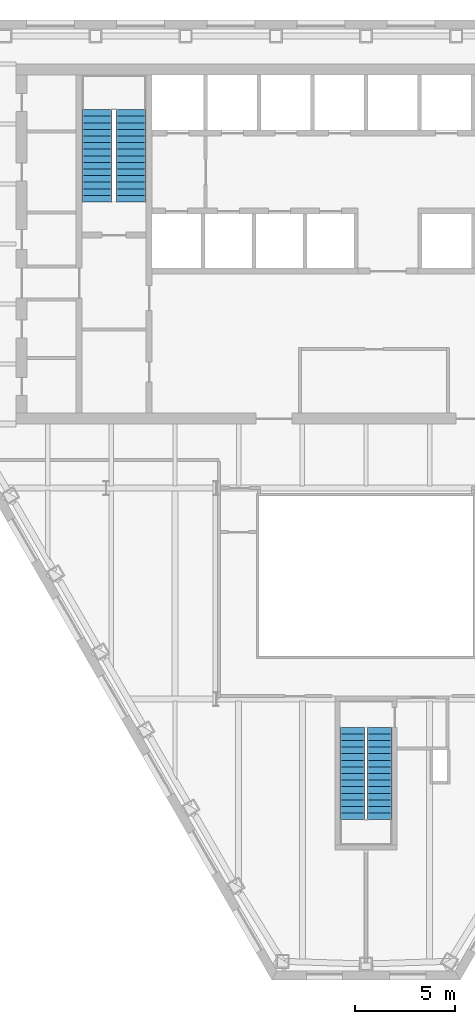
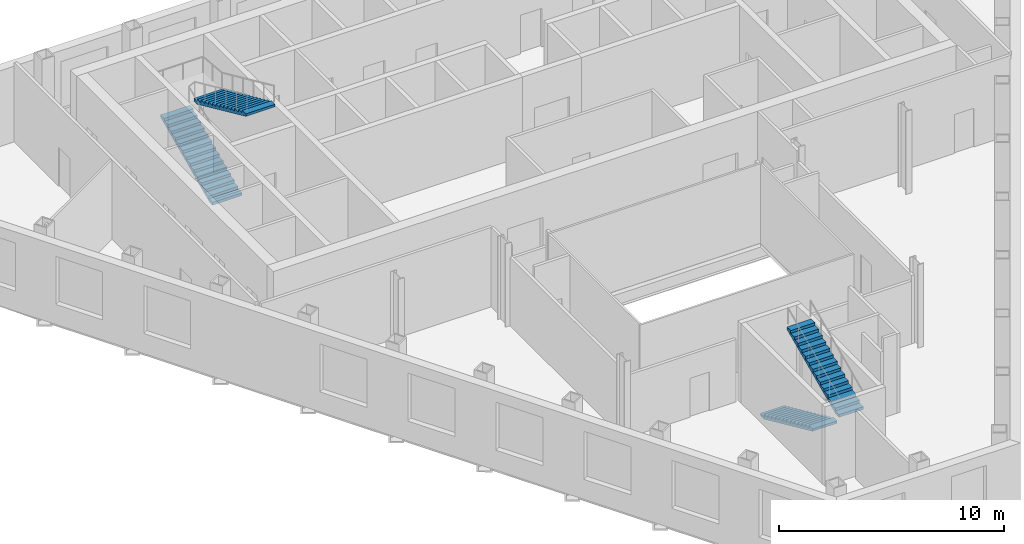
# One storey, part 9 of 11: 4 stair flights, 2 elements without a shape of their own.
"""IFC4 building model written with IfcOpenShell, lengths in metres."""

from ifc_helpers import new_model, si_unit, direction, frame, origin, place, context, subcontext, project, spatial, polygons, material, type_object, element, aggregate, save


model = new_model("IFC4")

# Units and contexts
model_context = context("Model", 3, precision=1e-05, world=origin(), true_north=direction((0.0, 1.0)))
body_context = subcontext(model_context, "Body", "Model", "MODEL_VIEW")
ifc_project = project(units=[si_unit("LENGTHUNIT", "METRE"), si_unit("AREAUNIT", "SQUARE_METRE"), si_unit("VOLUMEUNIT", "CUBIC_METRE"), si_unit("PLANEANGLEUNIT", "RADIAN"), si_unit("MASSUNIT", "GRAM", prefix="KILO")], contexts=[model_context])

# Site, building, storey
site_placement = place(None, origin())
site = spatial("IfcSite", under=ifc_project, at=site_placement, CompositionType="ELEMENT")
building_placement = place(site_placement, origin())
building = spatial("IfcBuilding", under=site, at=building_placement, Name="Njiva Tower", CompositionType="ELEMENT")
storey_placement = place(building_placement, frame((0.0, 0.0, 124.8)))
storey = spatial("IfcBuildingStorey", under=building, at=storey_placement, Name="L26", CompositionType="ELEMENT", Elevation=124.8)

# Stair, stair flights
ifc_material = material(Name="Concrete C40/50", Category="concrete")
stair_type_1 = type_object("IfcStairType", Name="ST1 Exit stair 1250", PredefinedType="HALF_TURN_STAIR", material=ifc_material)
stair_1_placement = place(storey_placement, origin())
stair_1 = element("IfcStair", 1, at=stair_1_placement, inside=storey, type_object=stair_type_1, Name="Stair C", PredefinedType="HALF_TURN_STAIR")
stair_flight_type_1 = type_object("IfcStairFlightType", Name="FL1 Stair flight 1250", PredefinedType="STRAIGHT", material=ifc_material)
stair_flight_1_placement = place(storey_placement, frame((-0.675, -15.16, 0.0), z_axis=(0.0, 0.0, 1.0), x_axis=(0.0, -1.0, 0.0)))
stair_flight_1 = element("IfcStairFlight", 2, at=stair_flight_1_placement, type_object=stair_flight_type_1, Name="ST-C flight 1", NumberOfRisers=15, NumberOfTreads=14, PredefinedType="STRAIGHT", RiserHeight=0.15, TreadLength=0.33, context=body_context, shape_type="Tessellation", body=[
    polygons([(0.0, 0.625, 0.0), (0.0, 0.3125, 0.0), (0.0, 0.0, 0.0), (0.0, -0.3125, 0.0), (0.0, -0.625, 0.0), (0.0, 0.625, 0.15), (0.0, 0.3125, 0.15), (0.0, 0.0, 0.15), (0.0, -0.3125, 0.15), (0.0, -0.625, 0.15), (0.33, 0.625, 0.15), (0.33, 0.3125, 0.15), (0.33, 0.0, 0.15), (0.33, -0.3125, 0.15), (0.33, -0.625, 0.15), (0.33, 0.625, 0.3), (0.33, 0.3125, 0.3), (0.33, 0.0, 0.3), (0.33, -0.3125, 0.3), (0.33, -0.625, 0.3), (0.66, 0.625, 0.3), (0.66, 0.3125, 0.3), (0.66, 0.0, 0.3), (0.66, -0.3125, 0.3), (0.66, -0.625, 0.3), (0.66, 0.625, 0.45), (0.66, 0.3125, 0.45), (0.66, 0.0, 0.45), (0.66, -0.3125, 0.45), (0.66, -0.625, 0.45), (0.99, 0.625, 0.45), (0.99, 0.3125, 0.45), (0.99, 0.0, 0.45), (0.99, -0.3125, 0.45), (0.99, -0.625, 0.45), (0.99, 0.625, 0.6), (0.99, 0.3125, 0.6), (0.99, 0.0, 0.6), (0.99, -0.3125, 0.6), (0.99, -0.625, 0.6), (1.32, 0.625, 0.6), (1.32, 0.3125, 0.6), (1.32, 0.0, 0.6), (1.32, -0.3125, 0.6), (1.32, -0.625, 0.6), (1.32, 0.625, 0.75), (1.32, 0.3125, 0.75), (1.32, 0.0, 0.75), (1.32, -0.3125, 0.75), (1.32, -0.625, 0.75), (1.65, 0.625, 0.75), (1.65, 0.3125, 0.75), (1.65, 0.0, 0.75), (1.65, -0.3125, 0.75), (1.65, -0.625, 0.75), (1.65, 0.625, 0.9), (1.65, 0.3125, 0.9), (1.65, 0.0, 0.9), (1.65, -0.3125, 0.9), (1.65, -0.625, 0.9), (1.98, 0.625, 0.9), (1.98, 0.3125, 0.9), (1.98, 0.0, 0.9), (1.98, -0.3125, 0.9), (1.98, -0.625, 0.9), (1.98, 0.625, 1.05), (1.98, 0.3125, 1.05), (1.98, 0.0, 1.05), (1.98, -0.3125, 1.05), (1.98, -0.625, 1.05), (2.31, 0.625, 1.05), (2.31, 0.3125, 1.05), (2.31, 0.0, 1.05), (2.31, -0.3125, 1.05), (2.31, -0.625, 1.05), (2.31, 0.625, 1.2), (2.31, 0.3125, 1.2), (2.31, 0.0, 1.2), (2.31, -0.3125, 1.2), (2.31, -0.625, 1.2), (2.64, 0.625, 1.2), (2.64, 0.3125, 1.2), (2.64, 0.0, 1.2), (2.64, -0.3125, 1.2), (2.64, -0.625, 1.2), (2.64, 0.625, 1.35), (2.64, 0.3125, 1.35), (2.64, 0.0, 1.35), (2.64, -0.3125, 1.35), (2.64, -0.625, 1.35), (2.97, 0.625, 1.35), (2.97, 0.3125, 1.35), (2.97, 0.0, 1.35), (2.97, -0.3125, 1.35), (2.97, -0.625, 1.35), (2.97, 0.625, 1.5), (2.97, 0.3125, 1.5), (2.97, 0.0, 1.5), (2.97, -0.3125, 1.5), (2.97, -0.625, 1.5), (3.3, 0.625, 1.5), (3.3, 0.3125, 1.5), (3.3, 0.0, 1.5), (3.3, -0.3125, 1.5), (3.3, -0.625, 1.5), (3.3, 0.625, 1.65), (3.3, 0.3125, 1.65), (3.3, 0.0, 1.65), (3.3, -0.3125, 1.65), (3.3, -0.625, 1.65), (3.63, 0.625, 1.65), (3.63, 0.3125, 1.65), (3.63, 0.0, 1.65), (3.63, -0.3125, 1.65), (3.63, -0.625, 1.65), (3.63, 0.625, 1.8), (3.63, 0.3125, 1.8), (3.63, 0.0, 1.8), (3.63, -0.3125, 1.8), (3.63, -0.625, 1.8), (3.96, 0.625, 1.8), (3.96, 0.3125, 1.8), (3.96, 0.0, 1.8), (3.96, -0.3125, 1.8), (3.96, -0.625, 1.8), (3.96, 0.625, 1.95), (3.96, 0.3125, 1.95), (3.96, 0.0, 1.95), (3.96, -0.3125, 1.95), (3.96, -0.625, 1.95), (4.29, 0.625, 1.95), (4.29, 0.3125, 1.95), (4.29, 0.0, 1.95), (4.29, -0.3125, 1.95), (4.29, -0.625, 1.95), (4.29, 0.625, 2.1), (4.29, 0.3125, 2.1), (4.29, 0.0, 2.1), (4.29, -0.3125, 2.1), (4.29, -0.625, 2.1), (4.62, 0.625, 2.1), (4.62, 0.3125, 2.1), (4.62, 0.0, 2.1), (4.62, -0.3125, 2.1), (4.62, -0.625, 2.1), (4.62, 0.625, 1.9682), (4.62, 0.3125, 1.9682), (4.62, 0.0, 1.9682), (4.62, -0.3125, 1.9682), (4.62, -0.625, 1.9682), (0.29, 0.625, 0.0), (0.29, 0.3125, 0.0), (0.29, 0.0, 0.0), (0.29, -0.3125, 0.0), (0.29, -0.625, 0.0)], [[[1, 6, 11, 16, 21, 26, 31, 36, 41, 46, 51, 56, 61, 66, 71, 76, 81, 86, 91, 96, 101, 106, 111, 116, 121, 126, 131, 136, 141, 146, 151]], [[155, 150, 145, 140, 135, 130, 125, 120, 115, 110, 105, 100, 95, 90, 85, 80, 75, 70, 65, 60, 55, 50, 45, 40, 35, 30, 25, 20, 15, 10, 5]], [[6, 1, 2, 7]], [[7, 2, 3, 8]], [[8, 3, 4, 9]], [[9, 4, 5, 10]], [[11, 6, 7, 12]], [[12, 7, 8, 13]], [[13, 8, 9, 14]], [[14, 9, 10, 15]], [[16, 11, 12, 17]], [[17, 12, 13, 18]], [[18, 13, 14, 19]], [[19, 14, 15, 20]], [[21, 16, 17, 22]], [[22, 17, 18, 23]], [[23, 18, 19, 24]], [[24, 19, 20, 25]], [[26, 21, 22, 27]], [[27, 22, 23, 28]], [[28, 23, 24, 29]], [[29, 24, 25, 30]], [[31, 26, 27, 32]], [[32, 27, 28, 33]], [[33, 28, 29, 34]], [[34, 29, 30, 35]], [[36, 31, 32, 37]], [[37, 32, 33, 38]], [[38, 33, 34, 39]], [[39, 34, 35, 40]], [[41, 36, 37, 42]], [[42, 37, 38, 43]], [[43, 38, 39, 44]], [[44, 39, 40, 45]], [[46, 41, 42, 47]], [[47, 42, 43, 48]], [[48, 43, 44, 49]], [[49, 44, 45, 50]], [[51, 46, 47, 52]], [[52, 47, 48, 53]], [[53, 48, 49, 54]], [[54, 49, 50, 55]], [[56, 51, 52, 57]], [[57, 52, 53, 58]], [[58, 53, 54, 59]], [[59, 54, 55, 60]], [[61, 56, 57, 62]], [[62, 57, 58, 63]], [[63, 58, 59, 64]], [[64, 59, 60, 65]], [[66, 61, 62, 67]], [[67, 62, 63, 68]], [[68, 63, 64, 69]], [[69, 64, 65, 70]], [[71, 66, 67, 72]], [[72, 67, 68, 73]], [[73, 68, 69, 74]], [[74, 69, 70, 75]], [[76, 71, 72, 77]], [[77, 72, 73, 78]], [[78, 73, 74, 79]], [[79, 74, 75, 80]], [[81, 76, 77, 82]], [[82, 77, 78, 83]], [[83, 78, 79, 84]], [[84, 79, 80, 85]], [[86, 81, 82, 87]], [[87, 82, 83, 88]], [[88, 83, 84, 89]], [[89, 84, 85, 90]], [[91, 86, 87, 92]], [[92, 87, 88, 93]], [[93, 88, 89, 94]], [[94, 89, 90, 95]], [[96, 91, 92, 97]], [[97, 92, 93, 98]], [[98, 93, 94, 99]], [[99, 94, 95, 100]], [[101, 96, 97, 102]], [[102, 97, 98, 103]], [[103, 98, 99, 104]], [[104, 99, 100, 105]], [[106, 101, 102, 107]], [[107, 102, 103, 108]], [[108, 103, 104, 109]], [[109, 104, 105, 110]], [[111, 106, 107, 112]], [[112, 107, 108, 113]], [[113, 108, 109, 114]], [[114, 109, 110, 115]], [[116, 111, 112, 117]], [[117, 112, 113, 118]], [[118, 113, 114, 119]], [[119, 114, 115, 120]], [[121, 116, 117, 122]], [[122, 117, 118, 123]], [[123, 118, 119, 124]], [[124, 119, 120, 125]], [[126, 121, 122, 127]], [[127, 122, 123, 128]], [[128, 123, 124, 129]], [[129, 124, 125, 130]], [[131, 126, 127, 132]], [[132, 127, 128, 133]], [[133, 128, 129, 134]], [[134, 129, 130, 135]], [[136, 131, 132, 137]], [[137, 132, 133, 138]], [[138, 133, 134, 139]], [[139, 134, 135, 140]], [[141, 136, 137, 142]], [[142, 137, 138, 143]], [[143, 138, 139, 144]], [[144, 139, 140, 145]], [[146, 141, 142, 147]], [[147, 142, 143, 148]], [[148, 143, 144, 149]], [[149, 144, 145, 150]], [[151, 146, 147, 152]], [[152, 147, 148, 153]], [[153, 148, 149, 154]], [[154, 149, 150, 155]], [[1, 151, 152, 2]], [[2, 152, 153, 3]], [[3, 153, 154, 4]], [[4, 154, 155, 5]]], closed=True),
])
stair_flight_2_placement = place(storey_placement, frame((0.675, -19.78, 2.25), z_axis=(0.0, 0.0, 1.0), x_axis=(0.0, 1.0, 0.0)))
stair_flight_2 = element("IfcStairFlight", 3, at=stair_flight_2_placement, type_object=stair_flight_type_1, Name="ST-C flight 2", NumberOfRisers=15, NumberOfTreads=14, PredefinedType="STRAIGHT", RiserHeight=0.15, TreadLength=0.33, context=body_context, shape_type="Tessellation", body=[
    polygons([(0.0, 0.625, 0.0), (0.0, 0.3125, 0.0), (0.0, 0.0, 0.0), (0.0, -0.3125, 0.0), (0.0, -0.625, 0.0), (0.0, 0.625, 0.15), (0.0, 0.3125, 0.15), (0.0, 0.0, 0.15), (0.0, -0.3125, 0.15), (0.0, -0.625, 0.15), (0.33, 0.625, 0.15), (0.33, 0.3125, 0.15), (0.33, 0.0, 0.15), (0.33, -0.3125, 0.15), (0.33, -0.625, 0.15), (0.33, 0.625, 0.3), (0.33, 0.3125, 0.3), (0.33, 0.0, 0.3), (0.33, -0.3125, 0.3), (0.33, -0.625, 0.3), (0.66, 0.625, 0.3), (0.66, 0.3125, 0.3), (0.66, 0.0, 0.3), (0.66, -0.3125, 0.3), (0.66, -0.625, 0.3), (0.66, 0.625, 0.45), (0.66, 0.3125, 0.45), (0.66, 0.0, 0.45), (0.66, -0.3125, 0.45), (0.66, -0.625, 0.45), (0.99, 0.625, 0.45), (0.99, 0.3125, 0.45), (0.99, 0.0, 0.45), (0.99, -0.3125, 0.45), (0.99, -0.625, 0.45), (0.99, 0.625, 0.6), (0.99, 0.3125, 0.6), (0.99, 0.0, 0.6), (0.99, -0.3125, 0.6), (0.99, -0.625, 0.6), (1.32, 0.625, 0.6), (1.32, 0.3125, 0.6), (1.32, 0.0, 0.6), (1.32, -0.3125, 0.6), (1.32, -0.625, 0.6), (1.32, 0.625, 0.75), (1.32, 0.3125, 0.75), (1.32, 0.0, 0.75), (1.32, -0.3125, 0.75), (1.32, -0.625, 0.75), (1.65, 0.625, 0.75), (1.65, 0.3125, 0.75), (1.65, 0.0, 0.75), (1.65, -0.3125, 0.75), (1.65, -0.625, 0.75), (1.65, 0.625, 0.9), (1.65, 0.3125, 0.9), (1.65, 0.0, 0.9), (1.65, -0.3125, 0.9), (1.65, -0.625, 0.9), (1.98, 0.625, 0.9), (1.98, 0.3125, 0.9), (1.98, 0.0, 0.9), (1.98, -0.3125, 0.9), (1.98, -0.625, 0.9), (1.98, 0.625, 1.05), (1.98, 0.3125, 1.05), (1.98, 0.0, 1.05), (1.98, -0.3125, 1.05), (1.98, -0.625, 1.05), (2.31, 0.625, 1.05), (2.31, 0.3125, 1.05), (2.31, 0.0, 1.05), (2.31, -0.3125, 1.05), (2.31, -0.625, 1.05), (2.31, 0.625, 1.2), (2.31, 0.3125, 1.2), (2.31, 0.0, 1.2), (2.31, -0.3125, 1.2), (2.31, -0.625, 1.2), (2.64, 0.625, 1.2), (2.64, 0.3125, 1.2), (2.64, 0.0, 1.2), (2.64, -0.3125, 1.2), (2.64, -0.625, 1.2), (2.64, 0.625, 1.35), (2.64, 0.3125, 1.35), (2.64, 0.0, 1.35), (2.64, -0.3125, 1.35), (2.64, -0.625, 1.35), (2.97, 0.625, 1.35), (2.97, 0.3125, 1.35), (2.97, 0.0, 1.35), (2.97, -0.3125, 1.35), (2.97, -0.625, 1.35), (2.97, 0.625, 1.5), (2.97, 0.3125, 1.5), (2.97, 0.0, 1.5), (2.97, -0.3125, 1.5), (2.97, -0.625, 1.5), (3.3, 0.625, 1.5), (3.3, 0.3125, 1.5), (3.3, 0.0, 1.5), (3.3, -0.3125, 1.5), (3.3, -0.625, 1.5), (3.3, 0.625, 1.65), (3.3, 0.3125, 1.65), (3.3, 0.0, 1.65), (3.3, -0.3125, 1.65), (3.3, -0.625, 1.65), (3.63, 0.625, 1.65), (3.63, 0.3125, 1.65), (3.63, 0.0, 1.65), (3.63, -0.3125, 1.65), (3.63, -0.625, 1.65), (3.63, 0.625, 1.8), (3.63, 0.3125, 1.8), (3.63, 0.0, 1.8), (3.63, -0.3125, 1.8), (3.63, -0.625, 1.8), (3.96, 0.625, 1.8), (3.96, 0.3125, 1.8), (3.96, 0.0, 1.8), (3.96, -0.3125, 1.8), (3.96, -0.625, 1.8), (3.96, 0.625, 1.95), (3.96, 0.3125, 1.95), (3.96, 0.0, 1.95), (3.96, -0.3125, 1.95), (3.96, -0.625, 1.95), (4.29, 0.625, 1.95), (4.29, 0.3125, 1.95), (4.29, 0.0, 1.95), (4.29, -0.3125, 1.95), (4.29, -0.625, 1.95), (4.29, 0.625, 2.1), (4.29, 0.3125, 2.1), (4.29, 0.0, 2.1), (4.29, -0.3125, 2.1), (4.29, -0.625, 2.1), (4.62, 0.625, 2.1), (4.62, 0.3125, 2.1), (4.62, 0.0, 2.1), (4.62, -0.3125, 2.1), (4.62, -0.625, 2.1), (4.62, 0.625, 1.9682), (4.62, 0.3125, 1.9682), (4.62, 0.0, 1.9682), (4.62, -0.3125, 1.9682), (4.62, -0.625, 1.9682), (0.29, 0.625, 0.0), (0.29, 0.3125, 0.0), (0.29, 0.0, 0.0), (0.29, -0.3125, 0.0), (0.29, -0.625, 0.0)], [[[1, 6, 11, 16, 21, 26, 31, 36, 41, 46, 51, 56, 61, 66, 71, 76, 81, 86, 91, 96, 101, 106, 111, 116, 121, 126, 131, 136, 141, 146, 151]], [[155, 150, 145, 140, 135, 130, 125, 120, 115, 110, 105, 100, 95, 90, 85, 80, 75, 70, 65, 60, 55, 50, 45, 40, 35, 30, 25, 20, 15, 10, 5]], [[6, 1, 2, 7]], [[7, 2, 3, 8]], [[8, 3, 4, 9]], [[9, 4, 5, 10]], [[11, 6, 7, 12]], [[12, 7, 8, 13]], [[13, 8, 9, 14]], [[14, 9, 10, 15]], [[16, 11, 12, 17]], [[17, 12, 13, 18]], [[18, 13, 14, 19]], [[19, 14, 15, 20]], [[21, 16, 17, 22]], [[22, 17, 18, 23]], [[23, 18, 19, 24]], [[24, 19, 20, 25]], [[26, 21, 22, 27]], [[27, 22, 23, 28]], [[28, 23, 24, 29]], [[29, 24, 25, 30]], [[31, 26, 27, 32]], [[32, 27, 28, 33]], [[33, 28, 29, 34]], [[34, 29, 30, 35]], [[36, 31, 32, 37]], [[37, 32, 33, 38]], [[38, 33, 34, 39]], [[39, 34, 35, 40]], [[41, 36, 37, 42]], [[42, 37, 38, 43]], [[43, 38, 39, 44]], [[44, 39, 40, 45]], [[46, 41, 42, 47]], [[47, 42, 43, 48]], [[48, 43, 44, 49]], [[49, 44, 45, 50]], [[51, 46, 47, 52]], [[52, 47, 48, 53]], [[53, 48, 49, 54]], [[54, 49, 50, 55]], [[56, 51, 52, 57]], [[57, 52, 53, 58]], [[58, 53, 54, 59]], [[59, 54, 55, 60]], [[61, 56, 57, 62]], [[62, 57, 58, 63]], [[63, 58, 59, 64]], [[64, 59, 60, 65]], [[66, 61, 62, 67]], [[67, 62, 63, 68]], [[68, 63, 64, 69]], [[69, 64, 65, 70]], [[71, 66, 67, 72]], [[72, 67, 68, 73]], [[73, 68, 69, 74]], [[74, 69, 70, 75]], [[76, 71, 72, 77]], [[77, 72, 73, 78]], [[78, 73, 74, 79]], [[79, 74, 75, 80]], [[81, 76, 77, 82]], [[82, 77, 78, 83]], [[83, 78, 79, 84]], [[84, 79, 80, 85]], [[86, 81, 82, 87]], [[87, 82, 83, 88]], [[88, 83, 84, 89]], [[89, 84, 85, 90]], [[91, 86, 87, 92]], [[92, 87, 88, 93]], [[93, 88, 89, 94]], [[94, 89, 90, 95]], [[96, 91, 92, 97]], [[97, 92, 93, 98]], [[98, 93, 94, 99]], [[99, 94, 95, 100]], [[101, 96, 97, 102]], [[102, 97, 98, 103]], [[103, 98, 99, 104]], [[104, 99, 100, 105]], [[106, 101, 102, 107]], [[107, 102, 103, 108]], [[108, 103, 104, 109]], [[109, 104, 105, 110]], [[111, 106, 107, 112]], [[112, 107, 108, 113]], [[113, 108, 109, 114]], [[114, 109, 110, 115]], [[116, 111, 112, 117]], [[117, 112, 113, 118]], [[118, 113, 114, 119]], [[119, 114, 115, 120]], [[121, 116, 117, 122]], [[122, 117, 118, 123]], [[123, 118, 119, 124]], [[124, 119, 120, 125]], [[126, 121, 122, 127]], [[127, 122, 123, 128]], [[128, 123, 124, 129]], [[129, 124, 125, 130]], [[131, 126, 127, 132]], [[132, 127, 128, 133]], [[133, 128, 129, 134]], [[134, 129, 130, 135]], [[136, 131, 132, 137]], [[137, 132, 133, 138]], [[138, 133, 134, 139]], [[139, 134, 135, 140]], [[141, 136, 137, 142]], [[142, 137, 138, 143]], [[143, 138, 139, 144]], [[144, 139, 140, 145]], [[146, 141, 142, 147]], [[147, 142, 143, 148]], [[148, 143, 144, 149]], [[149, 144, 145, 150]], [[151, 146, 147, 152]], [[152, 147, 148, 153]], [[153, 148, 149, 154]], [[154, 149, 150, 155]], [[1, 151, 152, 2]], [[2, 152, 153, 3]], [[3, 153, 154, 4]], [[4, 154, 155, 5]]], closed=True),
])
aggregate(stair_1, [stair_flight_1, stair_flight_2])

stair_type_2 = type_object("IfcStairType", Name="ST4 Exit stair 1500", PredefinedType="HALF_TURN_STAIR", material=ifc_material)
stair_2_placement = place(storey_placement, origin())
stair_2 = element("IfcStair", 4, at=stair_2_placement, inside=storey, type_object=stair_type_2, Name="Stair A", PredefinedType="HALF_TURN_STAIR")
stair_flight_type_2 = type_object("IfcStairFlightType", Name="FL4 Stair flight 1500", PredefinedType="STRAIGHT", material=ifc_material)
stair_flight_3_placement = place(storey_placement, frame((-13.45, 11.1, 0.0), z_axis=(0.0, 0.0, 1.0), x_axis=(0.0, 1.0, 0.0)))
stair_flight_3 = element("IfcStairFlight", 5, at=stair_flight_3_placement, type_object=stair_flight_type_2, Name="ST-A flight 1", NumberOfRisers=15, NumberOfTreads=14, PredefinedType="STRAIGHT", RiserHeight=0.15, TreadLength=0.33, context=body_context, shape_type="Tessellation", body=[
    polygons([(0.0, 0.75, 0.0), (0.0, 0.375, 0.0), (0.0, 0.0, 0.0), (0.0, -0.375, 0.0), (0.0, -0.75, 0.0), (0.0, 0.75, 0.15), (0.0, 0.375, 0.15), (0.0, 0.0, 0.15), (0.0, -0.375, 0.15), (0.0, -0.75, 0.15), (0.33, 0.75, 0.15), (0.33, 0.375, 0.15), (0.33, 0.0, 0.15), (0.33, -0.375, 0.15), (0.33, -0.75, 0.15), (0.33, 0.75, 0.3), (0.33, 0.375, 0.3), (0.33, 0.0, 0.3), (0.33, -0.375, 0.3), (0.33, -0.75, 0.3), (0.66, 0.75, 0.3), (0.66, 0.375, 0.3), (0.66, 0.0, 0.3), (0.66, -0.375, 0.3), (0.66, -0.75, 0.3), (0.66, 0.75, 0.45), (0.66, 0.375, 0.45), (0.66, 0.0, 0.45), (0.66, -0.375, 0.45), (0.66, -0.75, 0.45), (0.99, 0.75, 0.45), (0.99, 0.375, 0.45), (0.99, 0.0, 0.45), (0.99, -0.375, 0.45), (0.99, -0.75, 0.45), (0.99, 0.75, 0.6), (0.99, 0.375, 0.6), (0.99, 0.0, 0.6), (0.99, -0.375, 0.6), (0.99, -0.75, 0.6), (1.32, 0.75, 0.6), (1.32, 0.375, 0.6), (1.32, 0.0, 0.6), (1.32, -0.375, 0.6), (1.32, -0.75, 0.6), (1.32, 0.75, 0.75), (1.32, 0.375, 0.75), (1.32, 0.0, 0.75), (1.32, -0.375, 0.75), (1.32, -0.75, 0.75), (1.65, 0.75, 0.75), (1.65, 0.375, 0.75), (1.65, 0.0, 0.75), (1.65, -0.375, 0.75), (1.65, -0.75, 0.75), (1.65, 0.75, 0.9), (1.65, 0.375, 0.9), (1.65, 0.0, 0.9), (1.65, -0.375, 0.9), (1.65, -0.75, 0.9), (1.98, 0.75, 0.9), (1.98, 0.375, 0.9), (1.98, 0.0, 0.9), (1.98, -0.375, 0.9), (1.98, -0.75, 0.9), (1.98, 0.75, 1.05), (1.98, 0.375, 1.05), (1.98, 0.0, 1.05), (1.98, -0.375, 1.05), (1.98, -0.75, 1.05), (2.31, 0.75, 1.05), (2.31, 0.375, 1.05), (2.31, 0.0, 1.05), (2.31, -0.375, 1.05), (2.31, -0.75, 1.05), (2.31, 0.75, 1.2), (2.31, 0.375, 1.2), (2.31, 0.0, 1.2), (2.31, -0.375, 1.2), (2.31, -0.75, 1.2), (2.64, 0.75, 1.2), (2.64, 0.375, 1.2), (2.64, 0.0, 1.2), (2.64, -0.375, 1.2), (2.64, -0.75, 1.2), (2.64, 0.75, 1.35), (2.64, 0.375, 1.35), (2.64, 0.0, 1.35), (2.64, -0.375, 1.35), (2.64, -0.75, 1.35), (2.97, 0.75, 1.35), (2.97, 0.375, 1.35), (2.97, 0.0, 1.35), (2.97, -0.375, 1.35), (2.97, -0.75, 1.35), (2.97, 0.75, 1.5), (2.97, 0.375, 1.5), (2.97, 0.0, 1.5), (2.97, -0.375, 1.5), (2.97, -0.75, 1.5), (3.3, 0.75, 1.5), (3.3, 0.375, 1.5), (3.3, 0.0, 1.5), (3.3, -0.375, 1.5), (3.3, -0.75, 1.5), (3.3, 0.75, 1.65), (3.3, 0.375, 1.65), (3.3, 0.0, 1.65), (3.3, -0.375, 1.65), (3.3, -0.75, 1.65), (3.63, 0.75, 1.65), (3.63, 0.375, 1.65), (3.63, 0.0, 1.65), (3.63, -0.375, 1.65), (3.63, -0.75, 1.65), (3.63, 0.75, 1.8), (3.63, 0.375, 1.8), (3.63, 0.0, 1.8), (3.63, -0.375, 1.8), (3.63, -0.75, 1.8), (3.96, 0.75, 1.8), (3.96, 0.375, 1.8), (3.96, 0.0, 1.8), (3.96, -0.375, 1.8), (3.96, -0.75, 1.8), (3.96, 0.75, 1.95), (3.96, 0.375, 1.95), (3.96, 0.0, 1.95), (3.96, -0.375, 1.95), (3.96, -0.75, 1.95), (4.29, 0.75, 1.95), (4.29, 0.375, 1.95), (4.29, 0.0, 1.95), (4.29, -0.375, 1.95), (4.29, -0.75, 1.95), (4.29, 0.75, 2.1), (4.29, 0.375, 2.1), (4.29, 0.0, 2.1), (4.29, -0.375, 2.1), (4.29, -0.75, 2.1), (4.62, 0.75, 2.1), (4.62, 0.375, 2.1), (4.62, 0.0, 2.1), (4.62, -0.375, 2.1), (4.62, -0.75, 2.1), (4.62, 0.75, 1.9682), (4.62, 0.375, 1.9682), (4.62, 0.0, 1.9682), (4.62, -0.375, 1.9682), (4.62, -0.75, 1.9682), (0.29, 0.75, 0.0), (0.29, 0.375, 0.0), (0.29, 0.0, 0.0), (0.29, -0.375, 0.0), (0.29, -0.75, 0.0)], [[[1, 6, 11, 16, 21, 26, 31, 36, 41, 46, 51, 56, 61, 66, 71, 76, 81, 86, 91, 96, 101, 106, 111, 116, 121, 126, 131, 136, 141, 146, 151]], [[155, 150, 145, 140, 135, 130, 125, 120, 115, 110, 105, 100, 95, 90, 85, 80, 75, 70, 65, 60, 55, 50, 45, 40, 35, 30, 25, 20, 15, 10, 5]], [[6, 1, 2, 7]], [[7, 2, 3, 8]], [[8, 3, 4, 9]], [[9, 4, 5, 10]], [[11, 6, 7, 12]], [[12, 7, 8, 13]], [[13, 8, 9, 14]], [[14, 9, 10, 15]], [[16, 11, 12, 17]], [[17, 12, 13, 18]], [[18, 13, 14, 19]], [[19, 14, 15, 20]], [[21, 16, 17, 22]], [[22, 17, 18, 23]], [[23, 18, 19, 24]], [[24, 19, 20, 25]], [[26, 21, 22, 27]], [[27, 22, 23, 28]], [[28, 23, 24, 29]], [[29, 24, 25, 30]], [[31, 26, 27, 32]], [[32, 27, 28, 33]], [[33, 28, 29, 34]], [[34, 29, 30, 35]], [[36, 31, 32, 37]], [[37, 32, 33, 38]], [[38, 33, 34, 39]], [[39, 34, 35, 40]], [[41, 36, 37, 42]], [[42, 37, 38, 43]], [[43, 38, 39, 44]], [[44, 39, 40, 45]], [[46, 41, 42, 47]], [[47, 42, 43, 48]], [[48, 43, 44, 49]], [[49, 44, 45, 50]], [[51, 46, 47, 52]], [[52, 47, 48, 53]], [[53, 48, 49, 54]], [[54, 49, 50, 55]], [[56, 51, 52, 57]], [[57, 52, 53, 58]], [[58, 53, 54, 59]], [[59, 54, 55, 60]], [[61, 56, 57, 62]], [[62, 57, 58, 63]], [[63, 58, 59, 64]], [[64, 59, 60, 65]], [[66, 61, 62, 67]], [[67, 62, 63, 68]], [[68, 63, 64, 69]], [[69, 64, 65, 70]], [[71, 66, 67, 72]], [[72, 67, 68, 73]], [[73, 68, 69, 74]], [[74, 69, 70, 75]], [[76, 71, 72, 77]], [[77, 72, 73, 78]], [[78, 73, 74, 79]], [[79, 74, 75, 80]], [[81, 76, 77, 82]], [[82, 77, 78, 83]], [[83, 78, 79, 84]], [[84, 79, 80, 85]], [[86, 81, 82, 87]], [[87, 82, 83, 88]], [[88, 83, 84, 89]], [[89, 84, 85, 90]], [[91, 86, 87, 92]], [[92, 87, 88, 93]], [[93, 88, 89, 94]], [[94, 89, 90, 95]], [[96, 91, 92, 97]], [[97, 92, 93, 98]], [[98, 93, 94, 99]], [[99, 94, 95, 100]], [[101, 96, 97, 102]], [[102, 97, 98, 103]], [[103, 98, 99, 104]], [[104, 99, 100, 105]], [[106, 101, 102, 107]], [[107, 102, 103, 108]], [[108, 103, 104, 109]], [[109, 104, 105, 110]], [[111, 106, 107, 112]], [[112, 107, 108, 113]], [[113, 108, 109, 114]], [[114, 109, 110, 115]], [[116, 111, 112, 117]], [[117, 112, 113, 118]], [[118, 113, 114, 119]], [[119, 114, 115, 120]], [[121, 116, 117, 122]], [[122, 117, 118, 123]], [[123, 118, 119, 124]], [[124, 119, 120, 125]], [[126, 121, 122, 127]], [[127, 122, 123, 128]], [[128, 123, 124, 129]], [[129, 124, 125, 130]], [[131, 126, 127, 132]], [[132, 127, 128, 133]], [[133, 128, 129, 134]], [[134, 129, 130, 135]], [[136, 131, 132, 137]], [[137, 132, 133, 138]], [[138, 133, 134, 139]], [[139, 134, 135, 140]], [[141, 136, 137, 142]], [[142, 137, 138, 143]], [[143, 138, 139, 144]], [[144, 139, 140, 145]], [[146, 141, 142, 147]], [[147, 142, 143, 148]], [[148, 143, 144, 149]], [[149, 144, 145, 150]], [[151, 146, 147, 152]], [[152, 147, 148, 153]], [[153, 148, 149, 154]], [[154, 149, 150, 155]], [[1, 151, 152, 2]], [[2, 152, 153, 3]], [[3, 153, 154, 4]], [[4, 154, 155, 5]]], closed=True),
])
stair_flight_4_placement = place(storey_placement, frame((-11.75, 15.72, 2.25), z_axis=(0.0, 0.0, 1.0), x_axis=(0.0, -1.0, 0.0)))
stair_flight_4 = element("IfcStairFlight", 6, at=stair_flight_4_placement, type_object=stair_flight_type_2, Name="ST-A flight 2", NumberOfRisers=15, NumberOfTreads=14, PredefinedType="STRAIGHT", RiserHeight=0.15, TreadLength=0.33, context=body_context, shape_type="Tessellation", body=[
    polygons([(0.0, 0.75, 0.0), (0.0, 0.375, 0.0), (0.0, 0.0, 0.0), (0.0, -0.375, 0.0), (0.0, -0.75, 0.0), (0.0, 0.75, 0.15), (0.0, 0.375, 0.15), (0.0, 0.0, 0.15), (0.0, -0.375, 0.15), (0.0, -0.75, 0.15), (0.33, 0.75, 0.15), (0.33, 0.375, 0.15), (0.33, 0.0, 0.15), (0.33, -0.375, 0.15), (0.33, -0.75, 0.15), (0.33, 0.75, 0.3), (0.33, 0.375, 0.3), (0.33, 0.0, 0.3), (0.33, -0.375, 0.3), (0.33, -0.75, 0.3), (0.66, 0.75, 0.3), (0.66, 0.375, 0.3), (0.66, 0.0, 0.3), (0.66, -0.375, 0.3), (0.66, -0.75, 0.3), (0.66, 0.75, 0.45), (0.66, 0.375, 0.45), (0.66, 0.0, 0.45), (0.66, -0.375, 0.45), (0.66, -0.75, 0.45), (0.99, 0.75, 0.45), (0.99, 0.375, 0.45), (0.99, 0.0, 0.45), (0.99, -0.375, 0.45), (0.99, -0.75, 0.45), (0.99, 0.75, 0.6), (0.99, 0.375, 0.6), (0.99, 0.0, 0.6), (0.99, -0.375, 0.6), (0.99, -0.75, 0.6), (1.32, 0.75, 0.6), (1.32, 0.375, 0.6), (1.32, 0.0, 0.6), (1.32, -0.375, 0.6), (1.32, -0.75, 0.6), (1.32, 0.75, 0.75), (1.32, 0.375, 0.75), (1.32, 0.0, 0.75), (1.32, -0.375, 0.75), (1.32, -0.75, 0.75), (1.65, 0.75, 0.75), (1.65, 0.375, 0.75), (1.65, 0.0, 0.75), (1.65, -0.375, 0.75), (1.65, -0.75, 0.75), (1.65, 0.75, 0.9), (1.65, 0.375, 0.9), (1.65, 0.0, 0.9), (1.65, -0.375, 0.9), (1.65, -0.75, 0.9), (1.98, 0.75, 0.9), (1.98, 0.375, 0.9), (1.98, 0.0, 0.9), (1.98, -0.375, 0.9), (1.98, -0.75, 0.9), (1.98, 0.75, 1.05), (1.98, 0.375, 1.05), (1.98, 0.0, 1.05), (1.98, -0.375, 1.05), (1.98, -0.75, 1.05), (2.31, 0.75, 1.05), (2.31, 0.375, 1.05), (2.31, 0.0, 1.05), (2.31, -0.375, 1.05), (2.31, -0.75, 1.05), (2.31, 0.75, 1.2), (2.31, 0.375, 1.2), (2.31, 0.0, 1.2), (2.31, -0.375, 1.2), (2.31, -0.75, 1.2), (2.64, 0.75, 1.2), (2.64, 0.375, 1.2), (2.64, 0.0, 1.2), (2.64, -0.375, 1.2), (2.64, -0.75, 1.2), (2.64, 0.75, 1.35), (2.64, 0.375, 1.35), (2.64, 0.0, 1.35), (2.64, -0.375, 1.35), (2.64, -0.75, 1.35), (2.97, 0.75, 1.35), (2.97, 0.375, 1.35), (2.97, 0.0, 1.35), (2.97, -0.375, 1.35), (2.97, -0.75, 1.35), (2.97, 0.75, 1.5), (2.97, 0.375, 1.5), (2.97, 0.0, 1.5), (2.97, -0.375, 1.5), (2.97, -0.75, 1.5), (3.3, 0.75, 1.5), (3.3, 0.375, 1.5), (3.3, 0.0, 1.5), (3.3, -0.375, 1.5), (3.3, -0.75, 1.5), (3.3, 0.75, 1.65), (3.3, 0.375, 1.65), (3.3, 0.0, 1.65), (3.3, -0.375, 1.65), (3.3, -0.75, 1.65), (3.63, 0.75, 1.65), (3.63, 0.375, 1.65), (3.63, 0.0, 1.65), (3.63, -0.375, 1.65), (3.63, -0.75, 1.65), (3.63, 0.75, 1.8), (3.63, 0.375, 1.8), (3.63, 0.0, 1.8), (3.63, -0.375, 1.8), (3.63, -0.75, 1.8), (3.96, 0.75, 1.8), (3.96, 0.375, 1.8), (3.96, 0.0, 1.8), (3.96, -0.375, 1.8), (3.96, -0.75, 1.8), (3.96, 0.75, 1.95), (3.96, 0.375, 1.95), (3.96, 0.0, 1.95), (3.96, -0.375, 1.95), (3.96, -0.75, 1.95), (4.29, 0.75, 1.95), (4.29, 0.375, 1.95), (4.29, 0.0, 1.95), (4.29, -0.375, 1.95), (4.29, -0.75, 1.95), (4.29, 0.75, 2.1), (4.29, 0.375, 2.1), (4.29, 0.0, 2.1), (4.29, -0.375, 2.1), (4.29, -0.75, 2.1), (4.62, 0.75, 2.1), (4.62, 0.375, 2.1), (4.62, 0.0, 2.1), (4.62, -0.375, 2.1), (4.62, -0.75, 2.1), (4.62, 0.75, 1.9682), (4.62, 0.375, 1.9682), (4.62, 0.0, 1.9682), (4.62, -0.375, 1.9682), (4.62, -0.75, 1.9682), (0.29, 0.75, 0.0), (0.29, 0.375, 0.0), (0.29, 0.0, 0.0), (0.29, -0.375, 0.0), (0.29, -0.75, 0.0)], [[[1, 6, 11, 16, 21, 26, 31, 36, 41, 46, 51, 56, 61, 66, 71, 76, 81, 86, 91, 96, 101, 106, 111, 116, 121, 126, 131, 136, 141, 146, 151]], [[155, 150, 145, 140, 135, 130, 125, 120, 115, 110, 105, 100, 95, 90, 85, 80, 75, 70, 65, 60, 55, 50, 45, 40, 35, 30, 25, 20, 15, 10, 5]], [[6, 1, 2, 7]], [[7, 2, 3, 8]], [[8, 3, 4, 9]], [[9, 4, 5, 10]], [[11, 6, 7, 12]], [[12, 7, 8, 13]], [[13, 8, 9, 14]], [[14, 9, 10, 15]], [[16, 11, 12, 17]], [[17, 12, 13, 18]], [[18, 13, 14, 19]], [[19, 14, 15, 20]], [[21, 16, 17, 22]], [[22, 17, 18, 23]], [[23, 18, 19, 24]], [[24, 19, 20, 25]], [[26, 21, 22, 27]], [[27, 22, 23, 28]], [[28, 23, 24, 29]], [[29, 24, 25, 30]], [[31, 26, 27, 32]], [[32, 27, 28, 33]], [[33, 28, 29, 34]], [[34, 29, 30, 35]], [[36, 31, 32, 37]], [[37, 32, 33, 38]], [[38, 33, 34, 39]], [[39, 34, 35, 40]], [[41, 36, 37, 42]], [[42, 37, 38, 43]], [[43, 38, 39, 44]], [[44, 39, 40, 45]], [[46, 41, 42, 47]], [[47, 42, 43, 48]], [[48, 43, 44, 49]], [[49, 44, 45, 50]], [[51, 46, 47, 52]], [[52, 47, 48, 53]], [[53, 48, 49, 54]], [[54, 49, 50, 55]], [[56, 51, 52, 57]], [[57, 52, 53, 58]], [[58, 53, 54, 59]], [[59, 54, 55, 60]], [[61, 56, 57, 62]], [[62, 57, 58, 63]], [[63, 58, 59, 64]], [[64, 59, 60, 65]], [[66, 61, 62, 67]], [[67, 62, 63, 68]], [[68, 63, 64, 69]], [[69, 64, 65, 70]], [[71, 66, 67, 72]], [[72, 67, 68, 73]], [[73, 68, 69, 74]], [[74, 69, 70, 75]], [[76, 71, 72, 77]], [[77, 72, 73, 78]], [[78, 73, 74, 79]], [[79, 74, 75, 80]], [[81, 76, 77, 82]], [[82, 77, 78, 83]], [[83, 78, 79, 84]], [[84, 79, 80, 85]], [[86, 81, 82, 87]], [[87, 82, 83, 88]], [[88, 83, 84, 89]], [[89, 84, 85, 90]], [[91, 86, 87, 92]], [[92, 87, 88, 93]], [[93, 88, 89, 94]], [[94, 89, 90, 95]], [[96, 91, 92, 97]], [[97, 92, 93, 98]], [[98, 93, 94, 99]], [[99, 94, 95, 100]], [[101, 96, 97, 102]], [[102, 97, 98, 103]], [[103, 98, 99, 104]], [[104, 99, 100, 105]], [[106, 101, 102, 107]], [[107, 102, 103, 108]], [[108, 103, 104, 109]], [[109, 104, 105, 110]], [[111, 106, 107, 112]], [[112, 107, 108, 113]], [[113, 108, 109, 114]], [[114, 109, 110, 115]], [[116, 111, 112, 117]], [[117, 112, 113, 118]], [[118, 113, 114, 119]], [[119, 114, 115, 120]], [[121, 116, 117, 122]], [[122, 117, 118, 123]], [[123, 118, 119, 124]], [[124, 119, 120, 125]], [[126, 121, 122, 127]], [[127, 122, 123, 128]], [[128, 123, 124, 129]], [[129, 124, 125, 130]], [[131, 126, 127, 132]], [[132, 127, 128, 133]], [[133, 128, 129, 134]], [[134, 129, 130, 135]], [[136, 131, 132, 137]], [[137, 132, 133, 138]], [[138, 133, 134, 139]], [[139, 134, 135, 140]], [[141, 136, 137, 142]], [[142, 137, 138, 143]], [[143, 138, 139, 144]], [[144, 139, 140, 145]], [[146, 141, 142, 147]], [[147, 142, 143, 148]], [[148, 143, 144, 149]], [[149, 144, 145, 150]], [[151, 146, 147, 152]], [[152, 147, 148, 153]], [[153, 148, 149, 154]], [[154, 149, 150, 155]], [[1, 151, 152, 2]], [[2, 152, 153, 3]], [[3, 153, 154, 4]], [[4, 154, 155, 5]]], closed=True),
])
aggregate(stair_2, [stair_flight_3, stair_flight_4])

save(model, "model.ifc")
